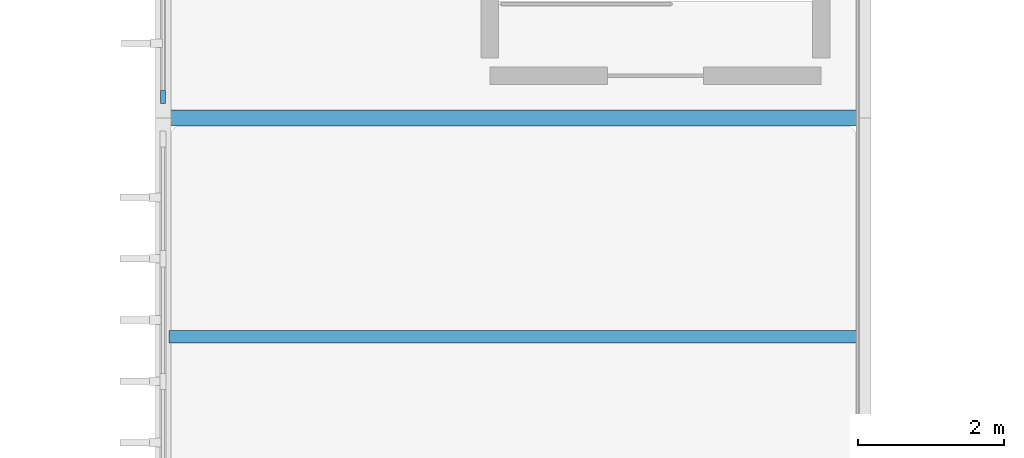
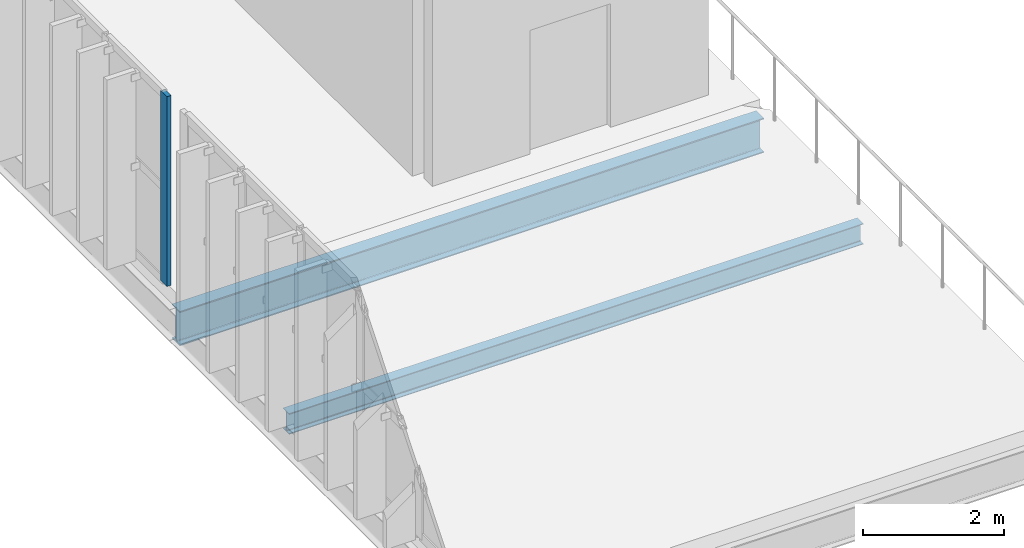
# One storey, part 19 of 82: 2 beams, 1 member, 1 element without a shape of its own.
"""IFC4 building model written with IfcOpenShell, lengths in metres."""

from ifc_helpers import new_model, si_unit, direction, frame, origin, origin_2d, place, context, subcontext, project, spatial, rectangle, i_section, extrude, material, layer, layer_set, material_profile, profile_set, type_object, element, aggregate, save


model = new_model("IFC4")

# Units and contexts
model_context = context("Model", 3, precision=1e-05, world=origin(), true_north=direction((0.0, 1.0)))
body_context = subcontext(model_context, "Body", "Model", "MODEL_VIEW")
ifc_project = project(units=[si_unit("LENGTHUNIT", "METRE"), si_unit("AREAUNIT", "SQUARE_METRE"), si_unit("VOLUMEUNIT", "CUBIC_METRE"), si_unit("PLANEANGLEUNIT", "RADIAN"), si_unit("MASSUNIT", "GRAM", prefix="KILO")], contexts=[model_context])

# Site, building, storey
site_placement = place(None, origin())
site = spatial("IfcSite", under=ifc_project, at=site_placement, CompositionType="ELEMENT")
building_placement = place(site_placement, origin())
building = spatial("IfcBuilding", under=site, at=building_placement, Name="Zarnetskaya Central Station", CompositionType="ELEMENT")
storey_placement = place(building_placement, frame((0.0, 0.0, 10.199951171875)))
storey = spatial("IfcBuildingStorey", under=building, at=storey_placement, Name="L02", CompositionType="ELEMENT", Elevation=10.199951171875)

# Beam
ifc_material_1 = material(Name="Steel S355", Category="steel")
ifc_material_profile_1 = material_profile(ifc_material_1, i_section(OverallWidth=0.169921875, OverallDepth=0.360107421875, WebThickness=0.008056640625, FlangeThickness=0.0126953125, FilletRadius=0.01806640625, at=origin_2d()), Name="IPE 360")
ifc_profile_set_1 = profile_set([ifc_material_profile_1], Name="Steel S355")
beam_type_1 = type_object("IfcBeamType", Name="BM-SEC-360", PredefinedType="BEAM", material=ifc_profile_set_1)
beam_1_placement = place(storey_placement, frame((57.679931640625, 28.199951171875, -0.43994140625), z_axis=(1.0, 0.0, 0.0), x_axis=(0.0, 1.0, 0.0)))
element("IfcBeam", 1, at=beam_1_placement, inside=storey, type_object=beam_type_1, Name="Secondary floor beam SEC-L02-Z994-GH-45-2", PredefinedType="BEAM", context=body_context, shape_type="SweptSolid", body=[
    extrude(i_section(OverallWidth=0.169921875, OverallDepth=0.360107421875, WebThickness=0.008056640625, FlangeThickness=0.0126953125, FilletRadius=0.01806640625, at=origin_2d()), origin(), (0.0, 0.0, 1.0), 9.440185546875),
])

# Curtain wall, member
ifc_material_2 = material(Name="Low-E insulated glass", Category="glass")
ifc_layer = layer(ifc_material_2, 0.176025390625, Name="Low-E insulated glass", Category="glass")
ifc_layer_set = layer_set([ifc_layer], Name="Low-E insulated glass")
curtain_wall_type = type_object("IfcCurtainWallType", Name="CW-SYS-15", PredefinedType="USERDEFINED", material=ifc_layer_set)
curtain_wall_placement = place(storey_placement, origin())
curtain_wall = element("IfcCurtainWall", 2, at=curtain_wall_placement, inside=storey, type_object=curtain_wall_type, Name="Curtain wall CW-L02-091", ObjectType="CURTAIN WALL", PredefinedType="USERDEFINED")
ifc_material_3 = material(Name="Anodised aluminium", Category="aluminium")
ifc_material_profile_2 = material_profile(ifc_material_3, rectangle(XDim=0.070068359375, YDim=0.179931640625, at=origin_2d()), Name="ALU MULL 70x180")
ifc_profile_set_2 = profile_set([ifc_material_profile_2], Name="Anodised aluminium")
member_type = type_object("IfcMemberType", Name="CW-MULL-180", PredefinedType="MULLION", material=ifc_profile_set_2)
member_placement = place(storey_placement, frame((57.60009765625, 31.485107421875, 0.0), z_axis=(0.0, 0.0, 1.0), x_axis=(-1.0, 0.0, 0.0)))
member = element("IfcMember", 3, at=member_placement, type_object=member_type, Name="CW-05 mullion 1", PredefinedType="MULLION", context=body_context, shape_type="SweptSolid", body=[
    extrude(rectangle(XDim=0.070068359375, YDim=0.179931640625, at=origin_2d()), origin(), (0.0, 0.0, 1.0), 3.300048828125),
])
aggregate(curtain_wall, [member])

# Beam
ifc_material_profile_3 = material_profile(ifc_material_1, i_section(OverallWidth=0.219970703125, OverallDepth=0.60009765625, WebThickness=0.011962890625, FlangeThickness=0.01904296875, FilletRadius=0.02392578125, at=origin_2d()), Name="IPE 600")
ifc_profile_set_3 = profile_set([ifc_material_profile_3], Name="Steel S355")
beam_type_2 = type_object("IfcBeamType", Name="GD-FLR-600", PredefinedType="USERDEFINED", material=ifc_profile_set_3)
beam_2_placement = place(storey_placement, frame((57.60009765625, 31.199951171875, -0.56005859375), z_axis=(1.0, 0.0, 0.0), x_axis=(0.0, 1.0, 0.0)))
element("IfcBeam", 4, at=beam_2_placement, inside=storey, type_object=beam_type_2, Name="Grid girder GX-L02-5-GH", ObjectType="GIRDER", PredefinedType="USERDEFINED", context=body_context, shape_type="SweptSolid", body=[
    extrude(i_section(OverallWidth=0.219970703125, OverallDepth=0.60009765625, WebThickness=0.011962890625, FlangeThickness=0.01904296875, FilletRadius=0.02392578125, at=origin_2d()), origin(), (0.0, 0.0, 1.0), 9.599853515625),
])

save(model, "model.ifc")
